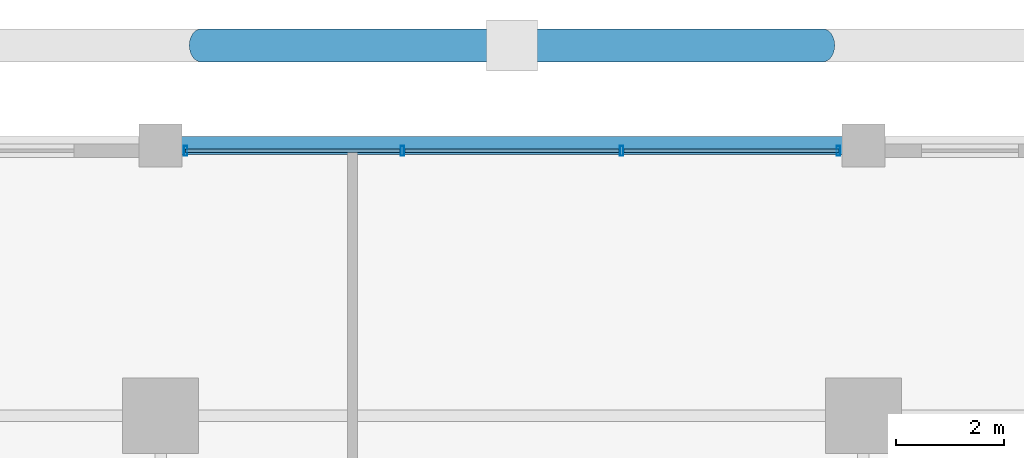
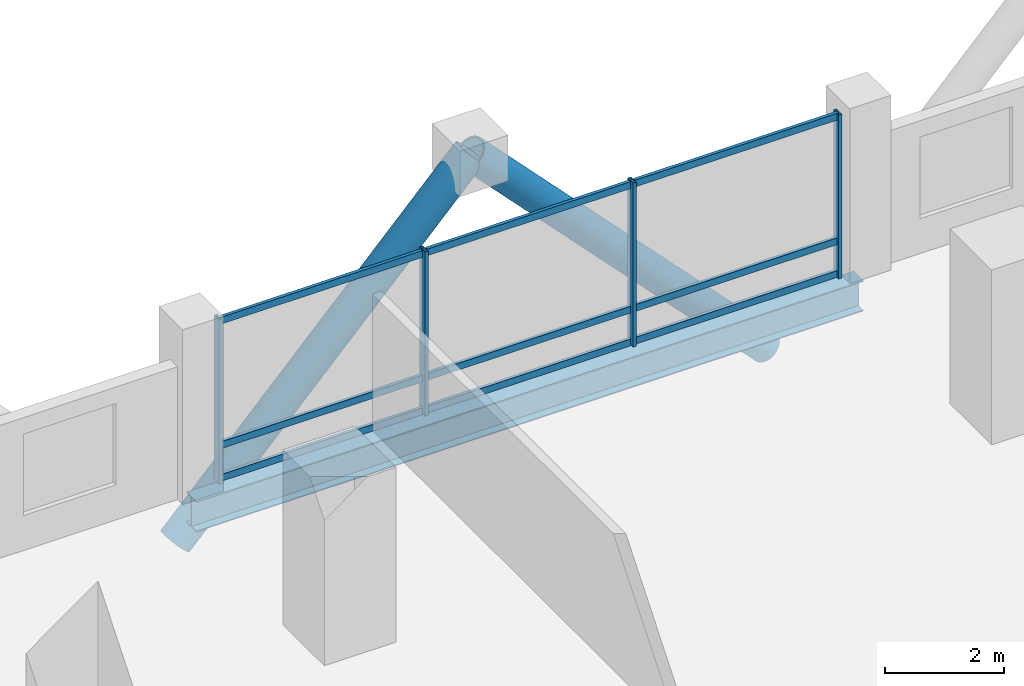
# One storey, part 13 of 23: 15 members, 1 beam, 1 element without a shape of its own.
"""IFC4 building model written with IfcOpenShell, lengths in metres."""

from ifc_helpers import new_model, si_unit, direction, frame, origin, origin_2d, place, context, subcontext, project, spatial, hollow_rectangle, hollow_circle, i_section, extrude, material, layer, layer_set, material_profile, profile_set, type_object, element, aggregate, save


model = new_model("IFC4")

# Units and contexts
model_context = context("Model", 3, precision=1e-05, world=origin(), true_north=direction((0.0, 1.0)))
body_context = subcontext(model_context, "Body", "Model", "MODEL_VIEW")
ifc_project = project(units=[si_unit("LENGTHUNIT", "METRE"), si_unit("AREAUNIT", "SQUARE_METRE"), si_unit("VOLUMEUNIT", "CUBIC_METRE"), si_unit("PLANEANGLEUNIT", "RADIAN"), si_unit("MASSUNIT", "GRAM", prefix="KILO")], contexts=[model_context])

# Site, building, storey
site_placement = place(None, origin())
site = spatial("IfcSite", under=ifc_project, at=site_placement, CompositionType="ELEMENT")
building_placement = place(site_placement, origin())
building = spatial("IfcBuilding", under=site, at=building_placement, Name="Barlavira Tower and Art Museum", CompositionType="ELEMENT")
storey_placement = place(building_placement, frame((0.0, 0.0, 36.0)))
storey = spatial("IfcBuildingStorey", under=building, at=storey_placement, Name="L07", CompositionType="ELEMENT", Elevation=36.0)

# Curtain wall, members
ifc_material_1 = material(Name="Low-iron coastal laminated glass", Category="glass")
ifc_layer = layer(ifc_material_1, 0.179931640625, Name="Low-iron coastal laminated glass")
ifc_layer_set = layer_set([ifc_layer], Name="Low-iron coastal laminated glass")
curtain_wall_type = type_object("IfcCurtainWallType", Name="Pale-Metal Unitised Curtain Wall Zone 1", PredefinedType="NOTDEFINED", material=ifc_layer_set)
curtain_wall_placement = place(storey_placement, origin())
curtain_wall = element("IfcCurtainWall", 1, at=curtain_wall_placement, inside=storey, type_object=curtain_wall_type, Name="L07 Curtain Wall CW1-L07-N-B3", PredefinedType="NOTDEFINED")
ifc_material_2 = material(Name="Pale anodised aluminium", Category="aluminium")
ifc_material_profile_1 = material_profile(ifc_material_2, hollow_rectangle(XDim=0.06494140625, YDim=0.179931640625, WallThickness=0.00390625, at=origin_2d()), Name="ALU-MULL 65x180x4")
ifc_profile_set_1 = profile_set([ifc_material_profile_1], Name="Pale anodised aluminium")
member_type_1 = type_object("IfcMemberType", Name="Curtain Wall Pale-Metal Mullion 65x180", PredefinedType="MULLION", material=ifc_profile_set_1)
member_1_placement = place(storey_placement, frame((6.034912109375, 24.89990234375, 0.0), z_axis=(0.0, 0.0, 1.0), x_axis=(-1.0, 0.0, 0.0)))
member_1 = element("IfcMember", 2, at=member_1_placement, type_object=member_type_1, Name="CW1-L07-N-B3 Mullion 0", PredefinedType="MULLION", context=body_context, shape_type="SweptSolid", body=[
    extrude(hollow_rectangle(XDim=0.06494140625, YDim=0.179931640625, WallThickness=0.00390625, at=origin_2d()), origin(), (0.0, 0.0, 1.0), 3.3798828125),
])
member_2_placement = place(storey_placement, frame((2.026611328125, 24.89990234375, 0.0), z_axis=(0.0, 0.0, 1.0), x_axis=(-1.0, 0.0, 0.0)))
member_2 = element("IfcMember", 3, at=member_2_placement, type_object=member_type_1, Name="CW1-L07-N-B3 Mullion 1", PredefinedType="MULLION", context=body_context, shape_type="SweptSolid", body=[
    extrude(hollow_rectangle(XDim=0.06494140625, YDim=0.179931640625, WallThickness=0.00390625, at=origin_2d()), origin(), (0.0, 0.0, 1.0), 3.3798828125),
])
member_3_placement = place(storey_placement, frame((-2.026611328125, 24.89990234375, 0.0), z_axis=(0.0, 0.0, 1.0), x_axis=(-1.0, 0.0, 0.0)))
member_3 = element("IfcMember", 4, at=member_3_placement, type_object=member_type_1, Name="CW1-L07-N-B3 Mullion 2", PredefinedType="MULLION", context=body_context, shape_type="SweptSolid", body=[
    extrude(hollow_rectangle(XDim=0.06494140625, YDim=0.179931640625, WallThickness=0.00390625, at=origin_2d()), origin(), (0.0, 0.0, 1.0), 3.3798828125),
])
member_4_placement = place(storey_placement, frame((-6.034912109375, 24.89990234375, 0.0), z_axis=(0.0, 0.0, 1.0), x_axis=(-1.0, 0.0, 0.0)))
member_4 = element("IfcMember", 5, at=member_4_placement, type_object=member_type_1, Name="CW1-L07-N-B3 Mullion 3", PredefinedType="MULLION", context=body_context, shape_type="SweptSolid", body=[
    extrude(hollow_rectangle(XDim=0.06494140625, YDim=0.179931640625, WallThickness=0.00390625, at=origin_2d()), origin(), (0.0, 0.0, 1.0), 3.3798828125),
])
ifc_material_profile_2 = material_profile(ifc_material_2, hollow_rectangle(XDim=0.06494140625, YDim=0.139892578125, WallThickness=0.00390625, at=origin_2d()), Name="ALU-TRAN 65x140x4")
ifc_profile_set_2 = profile_set([ifc_material_profile_2], Name="Pale anodised aluminium")
member_type_2 = type_object("IfcMemberType", Name="Curtain Wall Pale-Metal Transom 65x140", PredefinedType="USERDEFINED", material=ifc_profile_set_2)
member_5_placement = place(storey_placement, frame((6.034912109375, 24.89990234375, 0.070068359375), z_axis=(-1.0, 0.0, 0.0), x_axis=(0.0, -1.0, 0.0)))
member_5 = element("IfcMember", 6, at=member_5_placement, type_object=member_type_2, Name="CW1-L07-N-B3 Transom 0.1", ObjectType="TRANSOM", PredefinedType="USERDEFINED", context=body_context, shape_type="SweptSolid", body=[
    extrude(hollow_rectangle(XDim=0.06494140625, YDim=0.139892578125, WallThickness=0.00390625, at=origin_2d()), origin(), (0.0, 0.0, 1.0), 3.963134765625),
])
member_6_placement = place(storey_placement, frame((6.034912109375, 24.89990234375, 0.743896484375), z_axis=(-1.0, 0.0, 0.0), x_axis=(0.0, -1.0, 0.0)))
member_6 = element("IfcMember", 7, at=member_6_placement, type_object=member_type_2, Name="CW1-L07-N-B3 Transom 0.2", ObjectType="TRANSOM", PredefinedType="USERDEFINED", context=body_context, shape_type="SweptSolid", body=[
    extrude(hollow_rectangle(XDim=0.06494140625, YDim=0.139892578125, WallThickness=0.00390625, at=origin_2d()), origin(), (0.0, 0.0, 1.0), 3.963134765625),
])
member_7_placement = place(storey_placement, frame((6.034912109375, 24.89990234375, 3.31005859375), z_axis=(-1.0, 0.0, 0.0), x_axis=(0.0, -1.0, 0.0)))
member_7 = element("IfcMember", 8, at=member_7_placement, type_object=member_type_2, Name="CW1-L07-N-B3 Transom 0.3", ObjectType="TRANSOM", PredefinedType="USERDEFINED", context=body_context, shape_type="SweptSolid", body=[
    extrude(hollow_rectangle(XDim=0.06494140625, YDim=0.139892578125, WallThickness=0.00390625, at=origin_2d()), origin(), (0.0, 0.0, 1.0), 3.963134765625),
])
member_8_placement = place(storey_placement, frame((1.981689453125, 24.89990234375, 0.070068359375), z_axis=(-1.0, 0.0, 0.0), x_axis=(0.0, -1.0, 0.0)))
member_8 = element("IfcMember", 9, at=member_8_placement, type_object=member_type_2, Name="CW1-L07-N-B3 Transom 1.1", ObjectType="TRANSOM", PredefinedType="USERDEFINED", context=body_context, shape_type="SweptSolid", body=[
    extrude(hollow_rectangle(XDim=0.06494140625, YDim=0.139892578125, WallThickness=0.00390625, at=origin_2d()), origin(), (0.0, 0.0, 1.0), 3.96337890625),
])
member_9_placement = place(storey_placement, frame((1.981689453125, 24.89990234375, 0.743896484375), z_axis=(-1.0, 0.0, 0.0), x_axis=(0.0, -1.0, 0.0)))
member_9 = element("IfcMember", 10, at=member_9_placement, type_object=member_type_2, Name="CW1-L07-N-B3 Transom 1.2", ObjectType="TRANSOM", PredefinedType="USERDEFINED", context=body_context, shape_type="SweptSolid", body=[
    extrude(hollow_rectangle(XDim=0.06494140625, YDim=0.139892578125, WallThickness=0.00390625, at=origin_2d()), origin(), (0.0, 0.0, 1.0), 3.96337890625),
])
member_10_placement = place(storey_placement, frame((1.981689453125, 24.89990234375, 3.31005859375), z_axis=(-1.0, 0.0, 0.0), x_axis=(0.0, -1.0, 0.0)))
member_10 = element("IfcMember", 11, at=member_10_placement, type_object=member_type_2, Name="CW1-L07-N-B3 Transom 1.3", ObjectType="TRANSOM", PredefinedType="USERDEFINED", context=body_context, shape_type="SweptSolid", body=[
    extrude(hollow_rectangle(XDim=0.06494140625, YDim=0.139892578125, WallThickness=0.00390625, at=origin_2d()), origin(), (0.0, 0.0, 1.0), 3.96337890625),
])
member_11_placement = place(storey_placement, frame((-2.07177734375, 24.89990234375, 0.070068359375), z_axis=(-1.0, 0.0, 0.0), x_axis=(0.0, -1.0, 0.0)))
member_11 = element("IfcMember", 12, at=member_11_placement, type_object=member_type_2, Name="CW1-L07-N-B3 Transom 2.1", ObjectType="TRANSOM", PredefinedType="USERDEFINED", context=body_context, shape_type="SweptSolid", body=[
    extrude(hollow_rectangle(XDim=0.06494140625, YDim=0.139892578125, WallThickness=0.00390625, at=origin_2d()), origin(), (0.0, 0.0, 1.0), 3.963134765625),
])
member_12_placement = place(storey_placement, frame((-2.07177734375, 24.89990234375, 0.743896484375), z_axis=(-1.0, 0.0, 0.0), x_axis=(0.0, -1.0, 0.0)))
member_12 = element("IfcMember", 13, at=member_12_placement, type_object=member_type_2, Name="CW1-L07-N-B3 Transom 2.2", ObjectType="TRANSOM", PredefinedType="USERDEFINED", context=body_context, shape_type="SweptSolid", body=[
    extrude(hollow_rectangle(XDim=0.06494140625, YDim=0.139892578125, WallThickness=0.00390625, at=origin_2d()), origin(), (0.0, 0.0, 1.0), 3.963134765625),
])
member_13_placement = place(storey_placement, frame((-2.07177734375, 24.89990234375, 3.31005859375), z_axis=(-1.0, 0.0, 0.0), x_axis=(0.0, -1.0, 0.0)))
member_13 = element("IfcMember", 14, at=member_13_placement, type_object=member_type_2, Name="CW1-L07-N-B3 Transom 2.3", ObjectType="TRANSOM", PredefinedType="USERDEFINED", context=body_context, shape_type="SweptSolid", body=[
    extrude(hollow_rectangle(XDim=0.06494140625, YDim=0.139892578125, WallThickness=0.00390625, at=origin_2d()), origin(), (0.0, 0.0, 1.0), 3.963134765625),
])
aggregate(curtain_wall, [member_1, member_2, member_3, member_4, member_5, member_6, member_7, member_8, member_9, member_10, member_11, member_12, member_13])

# Members
ifc_material_3 = material(Name="Steel S355", Category="steel")
ifc_material_profile_3 = material_profile(ifc_material_3, hollow_circle(Radius=0.304931640625, WallThickness=0.028076171875, at=origin_2d()), Name="CHS 610.0x28.0")
ifc_profile_set_3 = profile_set([ifc_material_profile_3], Name="Steel S355")
member_type_3 = type_object("IfcMemberType", Name="Pale-Metal Exoskeleton Diagrid Tube CHS 610x28 Steel S355", PredefinedType="BRACE", material=ifc_profile_set_3)
for number, where, z_axis, x_axis, name in (
    (15, (-5.75, 26.85009765625, -2.52001953125), (0.691905363236, 0.0, 0.721988205115), (0.0, 1.0, 0.0), "L07 Exoskeleton Diagrid Tube N"),
    (16, (5.75, 26.85009765625, -2.52001953125), (-0.691905363236, 0.0, 0.721988205115), (0.0, -1.0, 0.0), "L07 Exoskeleton Diagrid Tube N"),
):
    element("IfcMember", number, at=place(storey_placement, frame(where, z_axis=z_axis, x_axis=x_axis)), inside=storey, type_object=member_type_3, Name=name, PredefinedType="BRACE", context=body_context, shape_type="SweptSolid", body=[
        extrude(hollow_circle(Radius=0.304931640625, WallThickness=0.028076171875, at=origin_2d()), origin(), (0.0, 0.0, 1.0), 8.310302734375),
    ])

# Beam
ifc_material_profile_4 = material_profile(ifc_material_3, i_section(OverallWidth=0.327880859375, OverallDepth=0.62890625, WebThickness=0.013916015625, FlangeThickness=0.021484375, at=origin_2d()), Name="W610x174.0")
ifc_profile_set_4 = profile_set([ifc_material_profile_4], Name="Steel S355")
beam_type = type_object("IfcBeamType", Name="Perimeter Spandrel Edge Beam W610x174 Steel S355", PredefinedType="SPANDREL", material=ifc_profile_set_4)
beam_placement = place(storey_placement, frame((-6.5, 25.0, -0.534423828125), z_axis=(1.0, 0.0, 0.0), x_axis=(0.0, 1.0, 0.0)))
element("IfcBeam", 17, at=beam_placement, inside=storey, type_object=beam_type, Name="L07 Spandrel 10", PredefinedType="SPANDREL", context=body_context, shape_type="SweptSolid", body=[
    extrude(i_section(OverallWidth=0.327880859375, OverallDepth=0.62890625, WebThickness=0.013916015625, FlangeThickness=0.021484375, at=origin_2d()), origin(), (0.0, 0.0, 1.0), 13.0),
])

save(model, "model.ifc")
